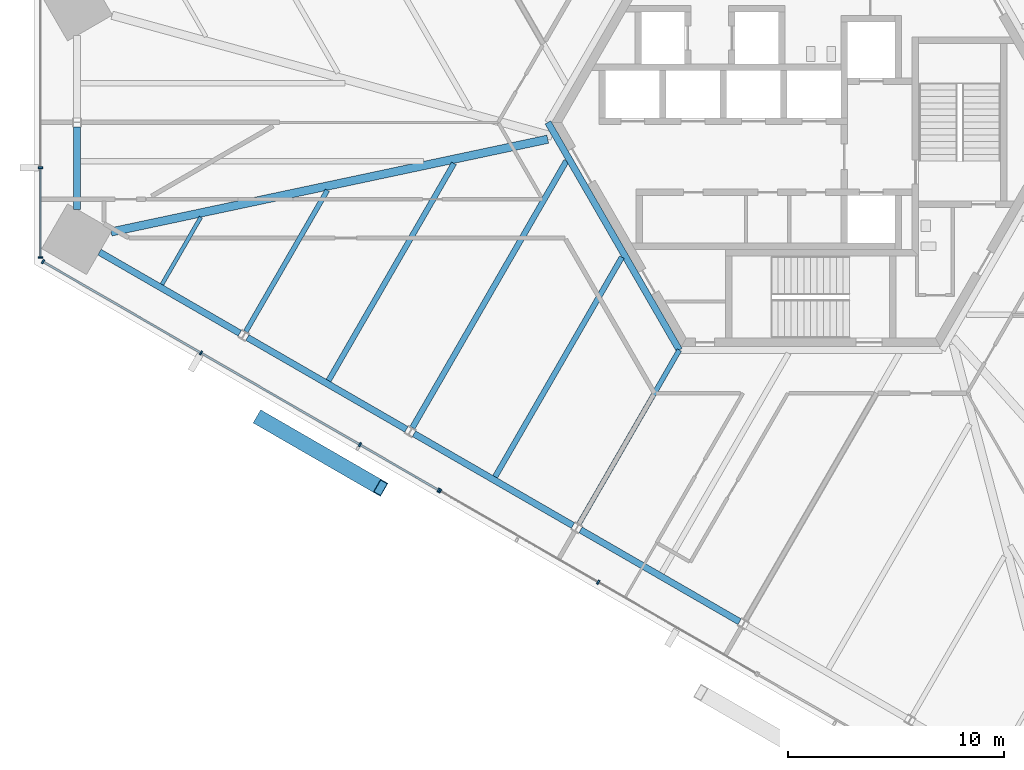
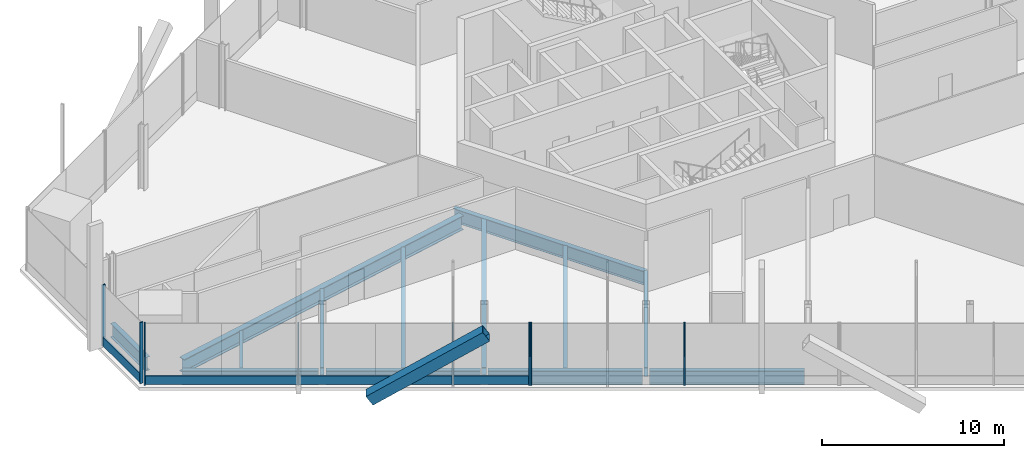
# One storey, part 3 of 19: 13 beams, 13 members, 3 elements without a shape of their own.
"""IFC4 building model written with IfcOpenShell, lengths in metres."""

from ifc_helpers import new_model, si_unit, direction, frame, origin, origin_2d, place, context, subcontext, project, spatial, rectangle, hollow_rectangle, i_section, extrude, source, transform, mapped, material, material_profile, profile_set, type_object, element, aggregate, save


model = new_model("IFC4")

# Units and contexts
model_context = context("Model", 3, precision=1e-05, world=origin(), true_north=direction((0.0, 1.0)))
body_context = subcontext(model_context, "Body", "Model", "MODEL_VIEW")
ifc_project = project(units=[si_unit("LENGTHUNIT", "METRE"), si_unit("AREAUNIT", "SQUARE_METRE"), si_unit("VOLUMEUNIT", "CUBIC_METRE"), si_unit("PLANEANGLEUNIT", "RADIAN"), si_unit("MASSUNIT", "GRAM", prefix="KILO")], contexts=[model_context])

# Site, building, storey
site_placement = place(None, origin())
site = spatial("IfcSite", under=ifc_project, at=site_placement, CompositionType="ELEMENT")
building_placement = place(site_placement, origin())
building = spatial("IfcBuilding", under=site, at=building_placement, Name="Triune Harvest Tower", CompositionType="ELEMENT")
storey_placement = place(building_placement, frame((0.0, 0.0, 24.60009765625)))
storey = spatial("IfcBuildingStorey", under=building, at=storey_placement, Name="L05", CompositionType="ELEMENT", Elevation=24.60009765625)

# Beams
ifc_material_1 = material(Name="Steel ASTM A992 Gr 50", Category="steel")
ifc_material_profile_1 = material_profile(ifc_material_1, i_section(OverallWidth=0.3046875, OverallDepth=0.914306640625, WebThickness=0.0166015625, FlangeThickness=0.02587890625, at=origin_2d()), Name="W36x160")
ifc_profile_set_1 = profile_set([ifc_material_profile_1], Name="Steel ASTM A992 Gr 50")
beam_type_1 = type_object("IfcBeamType", Name="CG-1 Core ring girder W36x160", PredefinedType="BEAM", material=ifc_profile_set_1)
shared_shape_1 = source(origin(), body_context, "Body", "SweptSolid", [
    extrude(i_section(OverallWidth=0.3046875, OverallDepth=0.914306640625, WebThickness=0.0166015625, FlangeThickness=0.02587890625, at=origin_2d()), origin(), (0.0, 0.0, 1.0), 12.176025390625),
])
beam_1_placement = place(storey_placement, frame((-12.176025390625, 0.0, -0.6572265625), z_axis=(0.5000099932, -0.866019634131, 0.0), x_axis=(0.866019634131, 0.5000099932, 0.0)))
element("IfcBeam", 1, at=beam_1_placement, inside=storey, type_object=beam_type_1, Name="beam/L05/CG4", PredefinedType="BEAM", context=body_context, shape_type="MappedRepresentation", body=[
    mapped(shared_shape_1, transform((0.0, 0.0, 0.0), scale=1.0)),
])
ifc_material_2 = material(Name="Steel ASTM A992 Gr 50", Category="steel")
ifc_material_profile_2 = material_profile(ifc_material_2, i_section(OverallWidth=0.383544921875, OverallDepth=0.9423828125, WebThickness=0.022216796875, FlangeThickness=0.039794921875, at=origin_2d()), Name="W36x232")
ifc_profile_set_2 = profile_set([ifc_material_profile_2], Name="Steel ASTM A992 Gr 50")
beam_type_2 = type_object("IfcBeamType", Name="HG-1 Hip girder W36x232", PredefinedType="BEAM", material=ifc_profile_set_2)
shared_shape_2 = source(origin(), body_context, "Body", "SweptSolid", [
    extrude(i_section(OverallWidth=0.383544921875, OverallDepth=0.9423828125, WebThickness=0.022216796875, FlangeThickness=0.039794921875, at=origin_2d()), origin(), (0.0, 0.0, 1.0), 20.676025390625),
])
beam_2_placement = place(storey_placement, frame((-32.4091796875, -5.07470703125, -0.67138671875), z_axis=(0.978185071399, 0.207735327022, 0.0), x_axis=(-0.207735327022, 0.978185071399, 0.0)))
element("IfcBeam", 2, at=beam_2_placement, inside=storey, type_object=beam_type_2, Name="beam/L05/HG5", PredefinedType="BEAM", context=body_context, shape_type="MappedRepresentation", body=[
    mapped(shared_shape_2, transform((0.0, 0.0, 0.0), scale=1.0)),
])
ifc_material_3 = material(Name="Steel ASTM A992 Gr 50", Category="steel")
ifc_material_profile_3 = material_profile(ifc_material_3, i_section(OverallWidth=0.22900390625, OverallDepth=0.612060546875, WebThickness=0.011962890625, FlangeThickness=0.01953125, at=origin_2d()), Name="W24x84")
ifc_profile_set_3 = profile_set([ifc_material_profile_3], Name="Steel ASTM A992 Gr 50")
beam_type_3 = type_object("IfcBeamType", Name="JT-3 Floor joist W24x84", PredefinedType="JOIST", material=ifc_profile_set_3)
shared_shape_3 = source(origin(), body_context, "Body", "SweptSolid", [
    extrude(i_section(OverallWidth=0.22900390625, OverallDepth=0.612060546875, WebThickness=0.011962890625, FlangeThickness=0.01953125, at=origin_2d()), origin(), (0.0, 0.0, 1.0), 7.558349609375),
])
beam_3_placement = place(storey_placement, frame((-26.170654296875, -9.68896484375, -0.506103515625), z_axis=(0.499991809969, 0.866030132249, 0.0), x_axis=(-0.866030132249, 0.499991809969, 0.0)))
element("IfcBeam", 3, at=beam_3_placement, inside=storey, type_object=beam_type_3, Name="beam/L05/JT28", PredefinedType="JOIST", context=body_context, shape_type="MappedRepresentation", body=[
    mapped(shared_shape_3, transform((0.0, 0.0, 0.0), scale=1.0)),
])
ifc_material_4 = material(Name="Steel ASTM A992 Gr 50", Category="steel")
ifc_material_profile_4 = material_profile(ifc_material_4, i_section(OverallWidth=0.2666015625, OverallDepth=0.7568359375, WebThickness=0.013916015625, FlangeThickness=0.019287109375, at=origin_2d()), Name="W30x108")
ifc_profile_set_4 = profile_set([ifc_material_profile_4], Name="Steel ASTM A992 Gr 50")
beam_type_4 = type_object("IfcBeamType", Name="JT-5 Floor joist W30x108", PredefinedType="JOIST", material=ifc_profile_set_4)
shared_shape_4 = source(origin(), body_context, "Body", "SweptSolid", [
    extrude(i_section(OverallWidth=0.2666015625, OverallDepth=0.7568359375, WebThickness=0.013916015625, FlangeThickness=0.019287109375, at=origin_2d()), origin(), (0.0, 0.0, 1.0), 14.2685546875),
])
beam_4_placement = place(storey_placement, frame((-18.454345703125, -14.14404296875, -0.57861328125), z_axis=(0.499987083308, 0.866032861112, 0.0), x_axis=(-0.866032861112, 0.499987083308, 0.0)))
element("IfcBeam", 4, at=beam_4_placement, inside=storey, type_object=beam_type_4, Name="beam/L05/JT30", PredefinedType="JOIST", context=body_context, shape_type="MappedRepresentation", body=[
    mapped(shared_shape_4, transform((0.0, 0.0, 0.0), scale=1.0)),
])
shared_shape_5 = source(origin(), body_context, "Body", "SweptSolid", [
    extrude(i_section(OverallWidth=0.22900390625, OverallDepth=0.612060546875, WebThickness=0.011962890625, FlangeThickness=0.01953125, at=origin_2d()), origin(), (0.0, 0.0, 1.0), 9.300537109375),
])
beam_5_placement = place(storey_placement, frame((-10.738037109375, -18.59912109375, -0.506103515625), z_axis=(0.49999285859, 0.86602952684, 0.0), x_axis=(-0.86602952684, 0.49999285859, 0.0)))
element("IfcBeam", 5, at=beam_5_placement, inside=storey, type_object=beam_type_3, Name="beam/L05/JT32", PredefinedType="JOIST", context=body_context, shape_type="MappedRepresentation", body=[
    mapped(shared_shape_5, transform((0.0, 0.0, 0.0), scale=1.0)),
])
ifc_material_5 = material(Name="Steel ASTM A992 Gr 50", Category="steel")
ifc_material_profile_5 = material_profile(ifc_material_5, i_section(OverallWidth=0.3046875, OverallDepth=0.914306640625, WebThickness=0.0166015625, FlangeThickness=0.02587890625, at=origin_2d()), Name="W36x160")
ifc_profile_set_5 = profile_set([ifc_material_profile_5], Name="Steel ASTM A992 Gr 50")
beam_type_5 = type_object("IfcBeamType", Name="SB-1 Spandrel beam W36x160", PredefinedType="SPANDREL", material=ifc_profile_set_5)
shared_shape_6 = source(origin(), body_context, "Body", "SweptSolid", [
    extrude(i_section(OverallWidth=0.3046875, OverallDepth=0.914306640625, WebThickness=0.0166015625, FlangeThickness=0.02587890625, at=origin_2d()), origin(), (0.0, 0.0, 1.0), 7.508056640625),
])
beam_6_placement = place(storey_placement, frame((-32.949462890625, -6.010009765625, -0.6572265625), z_axis=(0.866033425553, -0.499986105632, 0.0), x_axis=(0.499986105632, 0.866033425553, 0.0)))
element("IfcBeam", 6, at=beam_6_placement, inside=storey, type_object=beam_type_5, Name="beam/L05/SB17", PredefinedType="SPANDREL", context=body_context, shape_type="MappedRepresentation", body=[
    mapped(shared_shape_6, transform((0.0, 0.0, 0.0), scale=1.0)),
])
shared_shape_7 = source(origin(), body_context, "Body", "SweptSolid", [
    extrude(i_section(OverallWidth=0.3046875, OverallDepth=0.914306640625, WebThickness=0.0166015625, FlangeThickness=0.02587890625, at=origin_2d()), origin(), (0.0, 0.0, 1.0), 8.506103515625),
])
for number, where, z_axis, x_axis, name in (
    (7, (-26.097412109375, -9.966064453125, -0.6572265625), (0.866030246746, -0.49999161165, 0.0), (0.49999161165, 0.866030246746, 0.0), "beam/L05/SB18"),
    (8, (-18.381103515625, -14.4208984375, -0.6572265625), (0.866017818397, -0.500013138047, 0.0), (0.500013138047, 0.866017818397, 0.0), "beam/L05/SB19"),
    (9, (-10.664794921875, -18.8759765625, -0.6572265625), (0.866030246746, -0.49999161165, 0.0), (0.49999161165, 0.866030246746, 0.0), "beam/L05/SB20"),
):
    element("IfcBeam", number, at=place(storey_placement, frame(where, z_axis=z_axis, x_axis=x_axis)), inside=storey, type_object=beam_type_5, Name=name, PredefinedType="SPANDREL", context=body_context, shape_type="MappedRepresentation", body=[
        mapped(shared_shape_7, transform((0.0, 0.0, 0.0), scale=1.0)),
    ])
shared_shape_8 = source(origin(), body_context, "Body", "SweptSolid", [
    extrude(i_section(OverallWidth=0.3046875, OverallDepth=0.914306640625, WebThickness=0.0166015625, FlangeThickness=0.02587890625, at=origin_2d()), origin(), (0.0, 0.0, 1.0), 3.822509765625),
])
beam_7_placement = place(storey_placement, frame((-33.988525390625, -0.201904296875, -0.6572265625), z_axis=(0.0, -1.0, 0.0), x_axis=(1.0, 0.0, 0.0)))
element("IfcBeam", 10, at=beam_7_placement, inside=storey, type_object=beam_type_5, Name="beam/L05/SB16", PredefinedType="SPANDREL", context=body_context, shape_type="MappedRepresentation", body=[
    mapped(shared_shape_8, transform((0.0, 0.0, 0.0), scale=1.0)),
])
ifc_material_6 = material(Name="Steel ASTM A992 Gr 50", Category="steel")
ifc_material_profile_6 = material_profile(ifc_material_6, i_section(OverallWidth=0.253662109375, OverallDepth=0.683349609375, WebThickness=0.012451171875, FlangeThickness=0.01904296875, at=origin_2d()), Name="W27x94")
ifc_profile_set_6 = profile_set([ifc_material_profile_6], Name="Steel ASTM A992 Gr 50")
beam_type_6 = type_object("IfcBeamType", Name="JT-4 Floor joist W27x94", PredefinedType="JOIST", material=ifc_profile_set_6)
shared_shape_9 = source(origin(), body_context, "Body", "SweptSolid", [
    extrude(i_section(OverallWidth=0.253662109375, OverallDepth=0.683349609375, WebThickness=0.012451171875, FlangeThickness=0.01904296875, at=origin_2d()), origin(), (0.0, 0.0, 1.0), 11.618896484375),
])
beam_8_placement = place(storey_placement, frame((-22.337890625, -11.96044921875, -0.541748046875), z_axis=(0.500008015982, 0.866020775706, 0.0), x_axis=(-0.866020775706, 0.500008015982, 0.0)))
element("IfcBeam", 11, at=beam_8_placement, inside=storey, type_object=beam_type_6, Name="beam/L05/JT29", PredefinedType="JOIST", context=body_context, shape_type="MappedRepresentation", body=[
    mapped(shared_shape_9, transform((0.0, 0.0, 0.0), scale=1.0)),
])
shared_shape_10 = source(origin(), body_context, "Body", "SweptSolid", [
    extrude(i_section(OverallWidth=0.253662109375, OverallDepth=0.683349609375, WebThickness=0.012451171875, FlangeThickness=0.01904296875, at=origin_2d()), origin(), (0.0, 0.0, 1.0), 11.7470703125),
])
beam_9_placement = place(storey_placement, frame((-14.62158203125, -16.41552734375, -0.541748046875), z_axis=(0.49999710518, 0.866027075103, 0.0), x_axis=(-0.866027075103, 0.49999710518, 0.0)))
element("IfcBeam", 12, at=beam_9_placement, inside=storey, type_object=beam_type_6, Name="beam/L05/JT31", PredefinedType="JOIST", context=body_context, shape_type="MappedRepresentation", body=[
    mapped(shared_shape_10, transform((0.0, 0.0, 0.0), scale=1.0)),
])
ifc_material_7 = material(Name="Steel ASTM A992 Gr 50", Category="steel")
ifc_material_profile_7 = material_profile(ifc_material_7, i_section(OverallWidth=0.180908203125, OverallDepth=0.41650390625, WebThickness=0.010986328125, FlangeThickness=0.01806640625, at=origin_2d()), Name="W16x57")
ifc_profile_set_7 = profile_set([ifc_material_profile_7], Name="Steel ASTM A992 Gr 50")
beam_type_7 = type_object("IfcBeamType", Name="JT-1 Floor joist W16x57", PredefinedType="JOIST", material=ifc_profile_set_7)
shared_shape_11 = source(origin(), body_context, "Body", "SweptSolid", [
    extrude(i_section(OverallWidth=0.180908203125, OverallDepth=0.41650390625, WebThickness=0.010986328125, FlangeThickness=0.01806640625, at=origin_2d()), origin(), (0.0, 0.0, 1.0), 3.599609375),
])
beam_10_placement = place(storey_placement, frame((-30.05419921875, -7.505615234375, -0.408447265625), z_axis=(0.499990559667, 0.866030854095, 0.0), x_axis=(-0.866030854095, 0.499990559667, 0.0)))
element("IfcBeam", 13, at=beam_10_placement, inside=storey, type_object=beam_type_7, Name="beam/L05/JT27", PredefinedType="JOIST", context=body_context, shape_type="MappedRepresentation", body=[
    mapped(shared_shape_11, transform((0.0, 0.0, 0.0), scale=1.0)),
])

# Member
ifc_material_8 = material(Name="Steel ASTM A572 Gr 50", Category="steel")
ifc_material_profile_8 = material_profile(ifc_material_8, hollow_rectangle(XDim=0.699951171875, YDim=0.699951171875, WallThickness=0.0400390625, at=origin_2d()), Name="Box 700x700x40")
ifc_profile_set_8 = profile_set([ifc_material_profile_8], Name="Steel ASTM A572 Gr 50")
member_type_1 = type_object("IfcMemberType", Name="BR-1 Brace Box 700x700x40", PredefinedType="BRACE", material=ifc_profile_set_8)
shared_shape_12 = source(origin(), body_context, "Body", "SweptSolid", [
    extrude(hollow_rectangle(XDim=0.699951171875, YDim=0.699951171875, WallThickness=0.0400390625, at=origin_2d()), origin(), (0.0, 0.0, 1.0), 7.728271484375),
])
member_1_placement = place(storey_placement, frame((-25.48779296875, -13.715087890625, 0.0), z_axis=(0.719626109085, -0.415443501342, 0.556367648516), x_axis=(0.499970370671, 0.86604250961, 0.0)))
element("IfcMember", 14, at=member_1_placement, inside=storey, type_object=member_type_1, Name="brace/B1-F5/d1/3", PredefinedType="BRACE", context=body_context, shape_type="MappedRepresentation", body=[
    mapped(shared_shape_12, transform((0.0, 0.0, 0.0), scale=1.0)),
])

# Curtain wall, members
ifc_material_9 = material(Name="Aluminium bronze anodised", Category="aluminium")
curtain_wall_type_1 = type_object("IfcCurtainWallType", Name="CW-3 Farm floor curtain wall", PredefinedType="NOTDEFINED", material=ifc_material_9)
curtain_wall_1_placement = place(storey_placement, origin())
curtain_wall_1 = element("IfcCurtainWall", 15, at=curtain_wall_1_placement, inside=storey, type_object=curtain_wall_type_1, Name="CW-3 B1-F4 L05 run 1")
ifc_material_10 = material(Name="Aluminium bronze anodised", Category="aluminium")
ifc_material_profile_9 = material_profile(ifc_material_10, rectangle(XDim=0.090087890625, YDim=0.60009765625, at=origin_2d()), Name="TR-3 transom 90 x 600")
ifc_profile_set_9 = profile_set([ifc_material_profile_9], Name="Aluminium bronze anodised")
member_type_2 = type_object("IfcMemberType", Name="TR-3 transom 90 x 600", PredefinedType="USERDEFINED", material=ifc_profile_set_9)
shared_shape_13 = source(origin(), body_context, "Body", "SweptSolid", [
    extrude(rectangle(XDim=0.090087890625, YDim=0.60009765625, at=origin_2d()), origin(), (0.0, 0.0, 1.0), 4.077880859375),
])
member_2_placement = place(storey_placement, frame((-35.680419921875, -2.138916015625, 0.2998046875), z_axis=(0.0, -1.0, 0.0), x_axis=(1.0, 0.0, 0.0)))
member_2 = element("IfcMember", 16, at=member_2_placement, type_object=member_type_2, Name="CW-3 transom B1-F4 1.2", ObjectType="TRANSOM", PredefinedType="USERDEFINED", context=body_context, shape_type="MappedRepresentation", body=[
    mapped(shared_shape_13, transform((0.0, 0.0, 0.0), scale=1.0)),
])
ifc_material_11 = material(Name="Aluminium bronze anodised", Category="aluminium")
ifc_material_profile_10 = material_profile(ifc_material_11, rectangle(XDim=0.199951171875, YDim=0.080078125, at=origin_2d()), Name="MU-3 mullion 80 x 200")
ifc_profile_set_10 = profile_set([ifc_material_profile_10], Name="Aluminium bronze anodised")
member_type_3 = type_object("IfcMemberType", Name="MU-3 mullion 80 x 200", PredefinedType="MULLION", material=ifc_profile_set_10)
shared_shape_14 = source(origin(), body_context, "Body", "SweptSolid", [
    extrude(rectangle(XDim=0.199951171875, YDim=0.080078125, at=origin_2d()), origin(), (0.0, 0.0, 1.0), 4.099853515625),
])
member_3_placement = place(storey_placement, frame((-35.680419921875, -2.098876953125, 0.0), z_axis=(0.0, 0.0, 1.0), x_axis=(1.0, 0.0, 0.0)))
member_3 = element("IfcMember", 17, at=member_3_placement, type_object=member_type_3, Name="CW-3 mullion B1-F4 1.3", PredefinedType="MULLION", context=body_context, shape_type="MappedRepresentation", body=[
    mapped(shared_shape_14, transform((0.0, 0.0, 0.0), scale=1.0)),
])
member_4_placement = place(storey_placement, frame((-35.680419921875, -6.2568359375, 0.0), z_axis=(0.0, 0.0, 1.0), x_axis=(1.0, 0.0, 0.0)))
member_4 = element("IfcMember", 18, at=member_4_placement, type_object=member_type_3, Name="CW-3 mullion B1-F4 1.4", PredefinedType="MULLION", context=body_context, shape_type="MappedRepresentation", body=[
    mapped(shared_shape_14, transform((0.0, 0.0, 0.0), scale=1.0)),
])
aggregate(curtain_wall_1, [member_3, member_4, member_2])

ifc_material_12 = material(Name="Aluminium bronze anodised", Category="aluminium")
curtain_wall_type_2 = type_object("IfcCurtainWallType", Name="CW-8 Farm floor curtain wall with insulated spandrel infill", PredefinedType="NOTDEFINED", material=ifc_material_12)
curtain_wall_2_placement = place(storey_placement, origin())
curtain_wall_2 = element("IfcCurtainWall", 19, at=curtain_wall_2_placement, inside=storey, type_object=curtain_wall_type_2, Name="CW-8 B1-F5 L05 run 1")
member_5_placement = place(storey_placement, frame((-35.56787109375, -6.451904296875, 0.0), z_axis=(0.0, 0.0, 1.0), x_axis=(0.499998768415, 0.866026114839, 0.0)))
member_5 = element("IfcMember", 20, at=member_5_placement, type_object=member_type_3, Name="CW-8 mullion B1-F5 1.1", PredefinedType="MULLION", context=body_context, shape_type="MappedRepresentation", body=[
    mapped(shared_shape_14, transform((0.0, 0.0, 0.0), scale=1.0)),
])
member_6_placement = place(storey_placement, frame((-28.24365234375, -10.680419921875, 0.0), z_axis=(0.0, 0.0, 1.0), x_axis=(0.499998768415, 0.866026114839, 0.0)))
member_6 = element("IfcMember", 21, at=member_6_placement, type_object=member_type_3, Name="CW-8 mullion B1-F5 1.3", PredefinedType="MULLION", context=body_context, shape_type="MappedRepresentation", body=[
    mapped(shared_shape_14, transform((0.0, 0.0, 0.0), scale=1.0)),
])
member_7_placement = place(storey_placement, frame((-20.884521484375, -14.92919921875, 0.0), z_axis=(0.0, 0.0, 1.0), x_axis=(0.499998768415, 0.866026114839, 0.0)))
member_7 = element("IfcMember", 22, at=member_7_placement, type_object=member_type_3, Name="CW-8 mullion B1-F5 1.5", PredefinedType="MULLION", context=body_context, shape_type="MappedRepresentation", body=[
    mapped(shared_shape_14, transform((0.0, 0.0, 0.0), scale=1.0)),
])
member_8_placement = place(storey_placement, frame((-17.23974609375, -17.03369140625, 0.0), z_axis=(0.0, 0.0, 1.0), x_axis=(0.499998768415, 0.866026114839, 0.0)))
member_8 = element("IfcMember", 23, at=member_8_placement, type_object=member_type_3, Name="CW-8 mullion B1-F5 1.6", PredefinedType="MULLION", context=body_context, shape_type="MappedRepresentation", body=[
    mapped(shared_shape_14, transform((0.0, 0.0, 0.0), scale=1.0)),
])

curtain_wall_3_placement = place(storey_placement, origin())
curtain_wall_3 = element("IfcCurtainWall", 24, at=curtain_wall_3_placement, inside=storey, type_object=curtain_wall_type_1, Name="CW-3 B1-F5 L05 run 1001")
member_9_placement = place(storey_placement, frame((-17.17041015625, -17.073486328125, 0.0), z_axis=(0.0, 0.0, 1.0), x_axis=(0.500000044272, 0.866025378224, 0.0)))
member_9 = element("IfcMember", 25, at=member_9_placement, type_object=member_type_3, Name="CW-3 mullion B1-F5 1001.1", PredefinedType="MULLION", context=body_context, shape_type="MappedRepresentation", body=[
    mapped(shared_shape_14, transform((0.0, 0.0, 0.0), scale=1.0)),
])
member_10_placement = place(storey_placement, frame((-9.845947265625, -21.30224609375, 0.0), z_axis=(0.0, 0.0, 1.0), x_axis=(0.500000044272, 0.866025378224, 0.0)))
member_10 = element("IfcMember", 26, at=member_10_placement, type_object=member_type_3, Name="CW-3 mullion B1-F5 1001.3", PredefinedType="MULLION", context=body_context, shape_type="MappedRepresentation", body=[
    mapped(shared_shape_14, transform((0.0, 0.0, 0.0), scale=1.0)),
])
aggregate(curtain_wall_3, [member_9, member_10])

# Member
shared_shape_15 = source(origin(), body_context, "Body", "SweptSolid", [
    extrude(rectangle(XDim=0.090087890625, YDim=0.60009765625, at=origin_2d()), origin(), (0.0, 0.0, 1.0), 8.37744140625),
])
member_11_placement = place(storey_placement, frame((-35.533203125, -6.4716796875, 0.2998046875), z_axis=(0.866026892193, -0.499997421992, 0.0), x_axis=(0.499997421992, 0.866026892193, 0.0)))
member_11 = element("IfcMember", 27, at=member_11_placement, type_object=member_type_2, Name="CW-8 transom B1-F5 1.1", ObjectType="TRANSOM", PredefinedType="USERDEFINED", context=body_context, shape_type="MappedRepresentation", body=[
    mapped(shared_shape_15, transform((0.0, 0.0, 0.0), scale=1.0)),
])

shared_shape_16 = source(origin(), body_context, "Body", "SweptSolid", [
    extrude(rectangle(XDim=0.090087890625, YDim=0.60009765625, at=origin_2d()), origin(), (0.0, 0.0, 1.0), 8.41748046875),
])
member_12_placement = place(storey_placement, frame((-28.208984375, -10.700439453125, 0.2998046875), z_axis=(0.866026680883, -0.499997787995, 0.0), x_axis=(0.499997787995, 0.866026680883, 0.0)))
member_12 = element("IfcMember", 28, at=member_12_placement, type_object=member_type_2, Name="CW-8 transom B1-F5 1.2", ObjectType="TRANSOM", PredefinedType="USERDEFINED", context=body_context, shape_type="MappedRepresentation", body=[
    mapped(shared_shape_16, transform((0.0, 0.0, 0.0), scale=1.0)),
])

shared_shape_17 = source(origin(), body_context, "Body", "SweptSolid", [
    extrude(rectangle(XDim=0.090087890625, YDim=0.60009765625, at=origin_2d()), origin(), (0.0, 0.0, 1.0), 4.12890625),
])
member_13_placement = place(storey_placement, frame((-20.849853515625, -14.94921875, 0.2998046875), z_axis=(0.866022127522, -0.500005674609, 0.0), x_axis=(0.500005674609, 0.866022127522, 0.0)))
member_13 = element("IfcMember", 29, at=member_13_placement, type_object=member_type_2, Name="CW-8 transom B1-F5 1.3", ObjectType="TRANSOM", PredefinedType="USERDEFINED", context=body_context, shape_type="MappedRepresentation", body=[
    mapped(shared_shape_17, transform((0.0, 0.0, 0.0), scale=1.0)),
])

aggregate(curtain_wall_2, [member_5, member_6, member_7, member_8, member_11, member_12, member_13])

save(model, "model.ifc")
